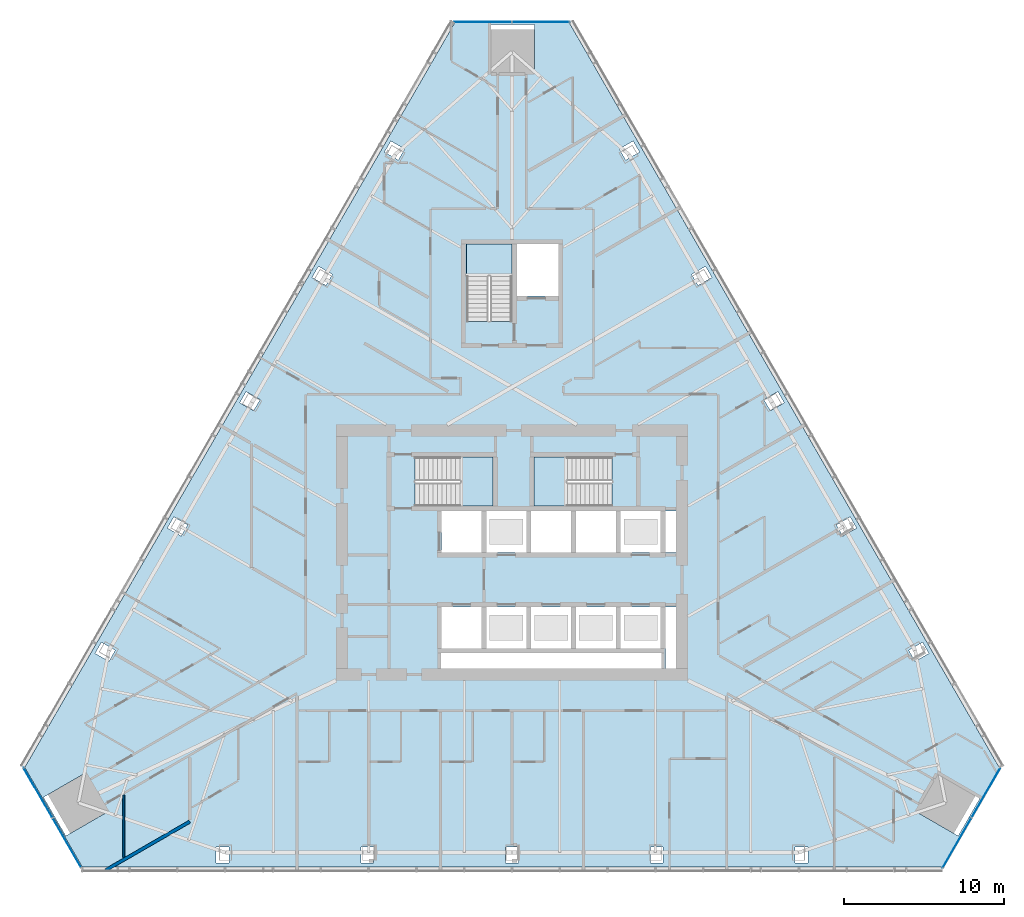
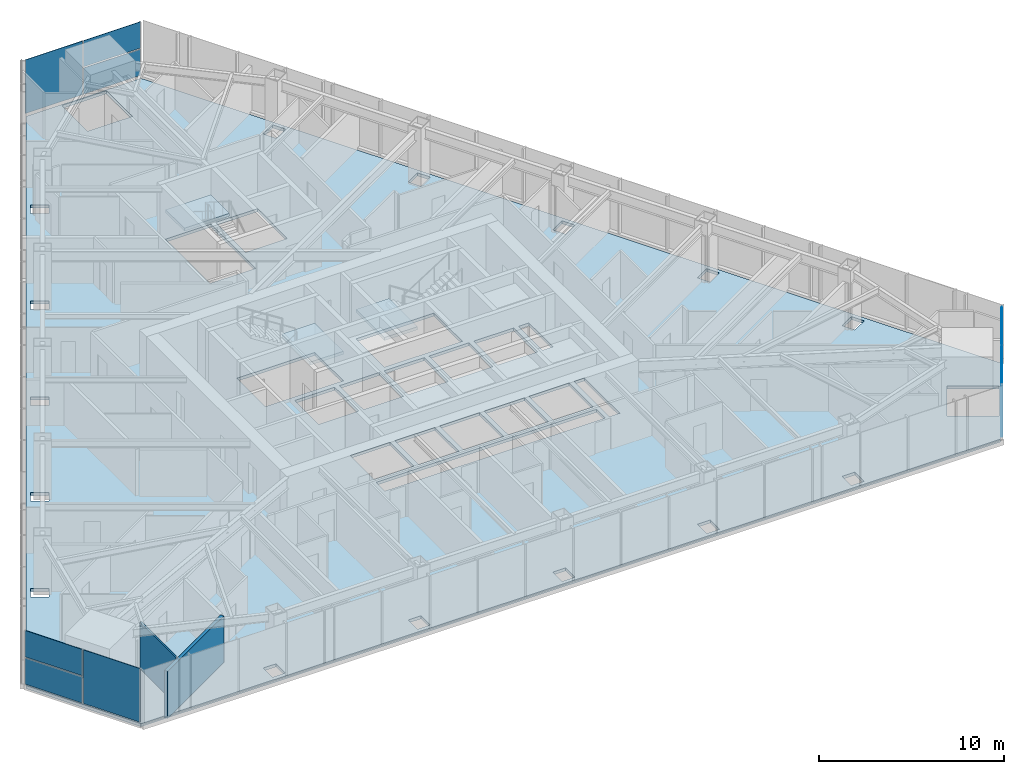
# One storey, part 13 of 21: 9 plates, 4 slabs, 2 walls, 6 elements without a shape of their own.
"""IFC4 building model written with IfcOpenShell, lengths in metres."""

from ifc_helpers import new_model, si_unit, direction, frame, frame_2d, origin, place, context, subcontext, project, spatial, polyline, rectangle, outline, extrude, material, layer, layer_set, type_object, element, aggregate, save


model = new_model("IFC4")

# Units and contexts
model_context = context("Model", 3, precision=1e-05, world=origin(), true_north=direction((0.0, 1.0)))
body_context = subcontext(model_context, "Body", "Model", "MODEL_VIEW")
ifc_project = project(units=[si_unit("LENGTHUNIT", "METRE"), si_unit("AREAUNIT", "SQUARE_METRE"), si_unit("VOLUMEUNIT", "CUBIC_METRE"), si_unit("PLANEANGLEUNIT", "RADIAN"), si_unit("MASSUNIT", "GRAM", prefix="KILO")], contexts=[model_context])

# Site, building, storey
site_placement = place(None, origin())
site = spatial("IfcSite", under=ifc_project, at=site_placement, CompositionType="ELEMENT")
building_placement = place(site_placement, origin())
building = spatial("IfcBuilding", under=site, at=building_placement, Name="Firuza Gate Tower and Library", CompositionType="ELEMENT")
storey_placement = place(building_placement, frame((0.0, 0.0, 167.5)))
storey = spatial("IfcBuildingStorey", under=building, at=storey_placement, Name="L38", CompositionType="ELEMENT", Elevation=167.5)

# Slab
ifc_material_1 = material(Name="Concrete C40/50", Category="concrete")
ifc_layer_1 = layer(ifc_material_1, 0.199951171875)
ifc_layer_set_1 = layer_set([ifc_layer_1], Name="Composite floor slab 200 C40/50")
slab_type_1 = type_object("IfcSlabType", Name="Composite floor slab 200 C40/50", PredefinedType="FLOOR", material=ifc_layer_set_1)
slab_1_placement = place(storey_placement, frame((0.0, 0.0, -0.199951171875)))
element("IfcSlab", 1, at=slab_1_placement, inside=storey, type_object=slab_type_1, Name="Floor slab L38", PredefinedType="FLOOR", context=body_context, shape_type="SweptSolid", body=[
    extrude(outline(polyline([(44.51416015625, 61.555908203125), (48.1142578125, 55.320556640625), (101.8857421875, 55.320556640625), (105.48583984375, 61.555908203125), (78.60009765625, 108.12353515625), (71.39990234375, 108.12353515625), (44.51416015625, 61.555908203125)]), holes=[polyline([(56.491943359375, 55.56103515625), (56.491943359375, 56.56103515625), (57.2919921875, 56.56103515625), (57.2919921875, 55.56103515625), (56.491943359375, 55.56103515625)]), polyline([(74.60009765625, 55.56103515625), (74.60009765625, 56.56103515625), (75.39990234375, 56.56103515625), (75.39990234375, 55.56103515625), (74.60009765625, 55.56103515625)]), polyline([(65.546142578125, 55.56103515625), (65.546142578125, 56.56103515625), (66.345947265625, 56.56103515625), (66.345947265625, 55.56103515625), (65.546142578125, 55.56103515625)]), polyline([(45.6845703125, 59.691162109375), (48.109375, 61.09130859375), (49.50927734375, 58.66650390625), (47.08447265625, 57.266357421875), (45.6845703125, 59.691162109375)]), polyline([(84.35009765625, 67.75), (70.550048828125, 67.75), (70.550048828125, 68.699951171875), (84.35009765625, 68.699951171875), (84.35009765625, 67.75)]), polyline([(49.3115234375, 69.3837890625), (50.177490234375, 68.8837890625), (49.777587890625, 68.191162109375), (48.911376953125, 68.691162109375), (49.3115234375, 69.3837890625)]), polyline([(73.10009765625, 69.0), (70.60009765625, 69.0), (70.60009765625, 71.60009765625), (73.10009765625, 71.60009765625), (73.10009765625, 69.0)]), polyline([(75.89990234375, 69.0), (73.39990234375, 69.0), (73.39990234375, 71.60009765625), (75.89990234375, 71.60009765625), (75.89990234375, 69.0)]), polyline([(73.10009765625, 75.0), (70.60009765625, 75.0), (70.60009765625, 77.60009765625), (73.10009765625, 77.60009765625), (73.10009765625, 75.0)]), polyline([(75.89990234375, 75.0), (73.39990234375, 75.0), (73.39990234375, 77.60009765625), (75.89990234375, 77.60009765625), (75.89990234375, 75.0)]), polyline([(53.83837890625, 77.224853515625), (54.70458984375, 76.724853515625), (54.304443359375, 76.031982421875), (53.4384765625, 76.531982421875), (53.83837890625, 77.224853515625)]), polyline([(73.81005859375, 77.89990234375), (68.9404296875, 77.89990234375), (68.9404296875, 80.97998046875), (73.81005859375, 80.97998046875), (73.81005859375, 77.89990234375)]), polyline([(58.365478515625, 85.06591796875), (59.2314453125, 84.56591796875), (58.83154296875, 83.873046875), (57.96533203125, 84.373046875), (58.365478515625, 85.06591796875)]), polyline([(72.159912109375, 89.470458984375), (72.159912109375, 94.300048828125), (75.0, 94.300048828125), (75.0, 89.470458984375), (72.159912109375, 89.470458984375)]), polyline([(62.892333984375, 92.90673828125), (63.758544921875, 92.40673828125), (63.3583984375, 91.714111328125), (62.492431640625, 92.214111328125), (62.892333984375, 92.90673828125)]), polyline([(75.300048828125, 91.050048828125), (75.300048828125, 94.300048828125), (77.89990234375, 94.300048828125), (77.89990234375, 91.050048828125), (75.300048828125, 91.050048828125)]), polyline([(68.285400390625, 100.247802734375), (67.885498046875, 99.554931640625), (67.01953125, 100.054931640625), (67.41943359375, 100.747802734375), (68.285400390625, 100.247802734375)]), polyline([(76.39990234375, 108.042236328125), (76.39990234375, 105.242431640625), (73.60009765625, 105.242431640625), (73.60009765625, 108.042236328125), (76.39990234375, 108.042236328125)]), polyline([(92.7080078125, 55.56103515625), (92.7080078125, 56.56103515625), (93.508056640625, 56.56103515625), (93.508056640625, 55.56103515625), (92.7080078125, 55.56103515625)]), polyline([(83.654052734375, 55.56103515625), (83.654052734375, 56.56103515625), (84.453857421875, 56.56103515625), (84.453857421875, 55.56103515625), (83.654052734375, 55.56103515625)]), polyline([(102.91552734375, 57.266357421875), (100.49072265625, 58.66650390625), (101.890625, 61.09130859375), (104.3154296875, 59.691162109375), (102.91552734375, 57.266357421875)]), polyline([(101.088623046875, 68.691162109375), (100.222412109375, 68.191162109375), (99.822509765625, 68.8837890625), (100.6884765625, 69.3837890625), (101.088623046875, 68.691162109375)]), polyline([(85.25, 67.75), (84.60009765625, 67.75), (84.60009765625, 71.60009765625), (85.25, 71.60009765625), (85.25, 67.75)]), polyline([(81.5, 69.0), (79.0, 69.0), (79.0, 71.60009765625), (81.5, 71.60009765625), (81.5, 69.0)]), polyline([(81.800048828125, 69.0), (81.800048828125, 71.60009765625), (84.300048828125, 71.60009765625), (84.300048828125, 69.0), (81.800048828125, 69.0)]), polyline([(76.199951171875, 69.0), (76.199951171875, 71.60009765625), (78.699951171875, 71.60009765625), (78.699951171875, 69.0), (76.199951171875, 69.0)]), polyline([(81.5, 75.0), (79.0, 75.0), (79.0, 77.60009765625), (81.5, 77.60009765625), (81.5, 75.0)]), polyline([(84.300048828125, 75.0), (81.800048828125, 75.0), (81.800048828125, 77.60009765625), (84.300048828125, 77.60009765625), (84.300048828125, 75.0)]), polyline([(85.25, 75.0), (84.60009765625, 75.0), (84.60009765625, 77.60009765625), (85.25, 77.60009765625), (85.25, 75.0)]), polyline([(78.699951171875, 75.0), (76.199951171875, 75.0), (76.199951171875, 77.60009765625), (78.699951171875, 77.60009765625), (78.699951171875, 75.0)]), polyline([(96.5615234375, 76.531982421875), (95.695556640625, 76.031982421875), (95.29541015625, 76.724853515625), (96.16162109375, 77.224853515625), (96.5615234375, 76.531982421875)]), polyline([(81.259521484375, 77.89990234375), (76.389892578125, 77.89990234375), (76.389892578125, 80.97998046875), (81.259521484375, 80.97998046875), (81.259521484375, 77.89990234375)]), polyline([(92.03466796875, 84.373046875), (91.16845703125, 83.873046875), (90.7685546875, 84.56591796875), (91.634521484375, 85.06591796875), (92.03466796875, 84.373046875)]), polyline([(86.6416015625, 91.714111328125), (86.241455078125, 92.40673828125), (87.107666015625, 92.90673828125), (87.507568359375, 92.214111328125), (86.6416015625, 91.714111328125)]), polyline([(82.114501953125, 99.554931640625), (81.714599609375, 100.247802734375), (82.58056640625, 100.747802734375), (82.98046875, 100.054931640625), (82.114501953125, 99.554931640625)])]), origin(), (0.0, 0.0, 1.0), 0.199951171875),
])

# Curtain wall, plate
ifc_material_2 = material(Name="Aluminium 6063-T6", Category="aluminium")
ifc_layer_2 = layer(ifc_material_2, 0.14990234375)
ifc_layer_set_2 = layer_set([ifc_layer_2], Name="Corner curtain wall, chamfers")
curtain_wall_type = type_object("IfcCurtainWallType", Name="Corner curtain wall, chamfers", PredefinedType="NOTDEFINED", material=ifc_layer_set_2)
placement_1 = place(storey_placement, origin())
curtain_wall_1 = element("IfcCurtainWall", 2, at=placement_1, inside=storey, type_object=curtain_wall_type, Name="CW4 L38 SE corner", PredefinedType="NOTDEFINED")
ifc_material_3 = material(Name="Fritted glass", Category="glass")
ifc_layer_3 = layer(ifc_material_3, 0.030029296875)
ifc_layer_set_3 = layer_set([ifc_layer_3], Name="Fritted glass unit, corners")
plate_type_1 = type_object("IfcPlateType", Name="Fritted glass unit, corners", PredefinedType="CURTAIN_PANEL", material=ifc_layer_set_3)
plate_1_placement = place(storey_placement, frame((101.962158203125, 55.272705078125, 0.14990234375), z_axis=(0.866046390552, -0.49996364809, 0.0), x_axis=(0.49996364809, 0.866046390552, 0.0)))
plate_1 = element("IfcPlate", 3, at=plate_1_placement, type_object=plate_type_1, Name="Glass unit", PredefinedType="CURTAIN_PANEL", context=body_context, shape_type="SweptSolid", body=[
    extrude(outline(polyline([(0.0, 0.0), (3.563247342942594, 0.0), (3.563247342942594, 1.735107421875), (0.0, 1.735107421875), (0.0, 0.0)])), origin(), (0.0, 0.0, -1.0), 0.030029296875),
])

curtain_wall_2 = element("IfcCurtainWall", 4, at=placement_1, inside=storey, type_object=curtain_wall_type, Name="CW4 L38 N corner", PredefinedType="NOTDEFINED")
plate_2_placement = place(storey_placement, frame((78.603271484375, 108.21337890625, 0.14990234375), z_axis=(0.0, 1.0, 0.0), x_axis=(-1.0, 0.0, 0.0)))
plate_2 = element("IfcPlate", 5, at=plate_2_placement, type_object=plate_type_1, Name="Glass unit", PredefinedType="CURTAIN_PANEL", context=body_context, shape_type="SweptSolid", body=[
    extrude(outline(polyline([(0.0, 0.0), (3.563232421875, 0.0), (3.563232421875, 1.735107421875), (0.0, 1.735107421875), (0.0, 0.0)])), origin(), (0.0, 0.0, -1.0), 0.030029296875),
])

curtain_wall_3 = element("IfcCurtainWall", 6, at=placement_1, inside=storey, type_object=curtain_wall_type, Name="CW4 L38 SW corner", PredefinedType="NOTDEFINED")
plate_3_placement = place(storey_placement, frame((44.4345703125, 61.513916015625, 0.14990234375), z_axis=(-0.866016723041, -0.500015035186, 0.0), x_axis=(0.500015035186, -0.866016723041, 0.0)))
plate_3 = element("IfcPlate", 7, at=plate_3_placement, type_object=plate_type_1, Name="Glass unit", PredefinedType="CURTAIN_PANEL", context=body_context, shape_type="SweptSolid", body=[
    extrude(outline(polyline([(0.0, 0.0), (3.5633694106530625, 0.0), (3.5633694106530625, 1.735107421875), (0.0, 1.735107421875), (0.0, 0.0)])), origin(), (0.0, 0.0, -1.0), 0.030029296875),
])

# Plate
ifc_material_4 = material(Name="Glazed ceramic tile")
ifc_layer_4 = layer(ifc_material_4, 0.030029296875)
ifc_layer_set_4 = layer_set([ifc_layer_4], Name="Opaque ceramic panel, corners")
plate_type_2 = type_object("IfcPlateType", Name="Opaque ceramic panel, corners", PredefinedType="CURTAIN_PANEL", material=ifc_layer_set_4)
plate_4_placement = place(storey_placement, frame((101.962158203125, 55.272705078125, 1.965087890625), z_axis=(0.866046390552, -0.49996364809, 0.0), x_axis=(0.49996364809, 0.866046390552, 0.0)))
plate_4 = element("IfcPlate", 8, at=plate_4_placement, type_object=plate_type_2, Name="Opaque ceramic panel", PredefinedType="CURTAIN_PANEL", context=body_context, shape_type="SweptSolid", body=[
    extrude(outline(polyline([(0.0, 0.0), (3.563247342942594, 0.0), (3.563247342942594, 1.73486328125), (0.0, 1.73486328125), (0.0, 0.0)])), origin(), (0.0, 0.0, -1.0), 0.030029296875),
])

plate_5_placement = place(storey_placement, frame((103.78369140625, 58.427978515625, 0.14990234375), z_axis=(0.866016723041, -0.500015035186, 0.0), x_axis=(0.500015035186, 0.866016723041, 0.0)))
plate_5 = element("IfcPlate", 9, at=plate_5_placement, type_object=plate_type_2, Name="Opaque ceramic panel", PredefinedType="CURTAIN_PANEL", context=body_context, shape_type="SweptSolid", body=[
    extrude(outline(polyline([(0.0, 0.0), (3.5633694106530625, 0.0), (3.5633694106530625, 3.550048828125), (0.0, 3.550048828125), (0.0, 0.0)])), origin(), (0.0, 0.0, -1.0), 0.030029296875),
])

aggregate(curtain_wall_1, [plate_1, plate_4, plate_5])

plate_6_placement = place(storey_placement, frame((78.603271484375, 108.21337890625, 1.965087890625), z_axis=(0.0, 1.0, 0.0), x_axis=(-1.0, 0.0, 0.0)))
plate_6 = element("IfcPlate", 10, at=plate_6_placement, type_object=plate_type_2, Name="Opaque ceramic panel", PredefinedType="CURTAIN_PANEL", context=body_context, shape_type="SweptSolid", body=[
    extrude(outline(polyline([(0.0, 0.0), (3.563232421875, 0.0), (3.563232421875, 1.73486328125), (0.0, 1.73486328125), (0.0, 0.0)])), origin(), (0.0, 0.0, -1.0), 0.030029296875),
])

plate_7_placement = place(storey_placement, frame((74.9599609375, 108.21337890625, 0.14990234375), z_axis=(0.0, 1.0, 0.0), x_axis=(-1.0, 0.0, 0.0)))
plate_7 = element("IfcPlate", 11, at=plate_7_placement, type_object=plate_type_2, Name="Opaque ceramic panel", PredefinedType="CURTAIN_PANEL", context=body_context, shape_type="SweptSolid", body=[
    extrude(outline(polyline([(0.0, 0.0), (3.563232421875, 0.0), (3.563232421875, 3.550048828125), (0.0, 3.550048828125), (0.0, 0.0)])), origin(), (0.0, 0.0, -1.0), 0.030029296875),
])

aggregate(curtain_wall_2, [plate_2, plate_6, plate_7])

plate_8_placement = place(storey_placement, frame((44.4345703125, 61.513916015625, 1.965087890625), z_axis=(-0.866016723041, -0.500015035186, 0.0), x_axis=(0.500015035186, -0.866016723041, 0.0)))
plate_8 = element("IfcPlate", 12, at=plate_8_placement, type_object=plate_type_2, Name="Opaque ceramic panel", PredefinedType="CURTAIN_PANEL", context=body_context, shape_type="SweptSolid", body=[
    extrude(outline(polyline([(0.0, 0.0), (3.5633694106530625, 0.0), (3.5633694106530625, 1.73486328125), (0.0, 1.73486328125), (0.0, 0.0)])), origin(), (0.0, 0.0, -1.0), 0.030029296875),
])

plate_9_placement = place(storey_placement, frame((46.25634765625, 58.358642578125, 0.14990234375), z_axis=(-0.866046390552, -0.49996364809, 0.0), x_axis=(0.49996364809, -0.866046390552, 0.0)))
plate_9 = element("IfcPlate", 13, at=plate_9_placement, type_object=plate_type_2, Name="Opaque ceramic panel", PredefinedType="CURTAIN_PANEL", context=body_context, shape_type="SweptSolid", body=[
    extrude(outline(polyline([(0.0, 0.0), (3.563247342942594, 0.0), (3.563247342942594, 3.550048828125), (0.0, 3.550048828125), (0.0, 0.0)])), origin(), (0.0, 0.0, -1.0), 0.030029296875),
])

aggregate(curtain_wall_3, [plate_3, plate_8, plate_9])

# Stair, slab
ifc_material_5 = material(Name="Concrete C35/45", Category="concrete")
stair_type_1 = type_object("IfcStairType", Name="Exit stair ST7", PredefinedType="HALF_TURN_STAIR", material=ifc_material_5)
stair_1 = element("IfcStair", 14, at=placement_1, inside=storey, type_object=stair_type_1, Name="L38 Stair ST1", PredefinedType="HALF_TURN_STAIR")
ifc_material_6 = material(Name="Concrete C35/45", Category="concrete")
ifc_layer_5 = layer(ifc_material_6, 0.199951171875)
ifc_layer_set_5 = layer_set([ifc_layer_5], Name="Stair landing 200")
slab_type_2 = type_object("IfcSlabType", Name="Stair landing 200", PredefinedType="LANDING", material=ifc_layer_set_5)
placement_2 = place(storey_placement, frame((0.0, 0.0, 1.75)))
slab_2 = element("IfcSlab", 15, at=placement_2, type_object=slab_type_2, Name="ST1 landing 1", PredefinedType="LANDING", context=body_context, shape_type="SweptSolid", body=[
    extrude(outline(polyline([(71.739990234375, 77.89990234375), (73.81005859375, 77.89990234375), (73.81005859375, 80.97998046875), (71.739990234375, 80.97998046875), (71.739990234375, 77.89990234375)])), origin(), (0.0, 0.0, 1.0), 0.199951171875),
])
aggregate(stair_1, [slab_2])

stair_2 = element("IfcStair", 16, at=placement_1, inside=storey, type_object=stair_type_1, Name="L38 Stair ST2", PredefinedType="HALF_TURN_STAIR")
slab_3 = element("IfcSlab", 17, at=placement_2, type_object=slab_type_2, Name="ST2 landing 1", PredefinedType="LANDING", context=body_context, shape_type="SweptSolid", body=[
    extrude(outline(polyline([(78.4599609375, 80.97998046875), (76.389892578125, 80.97998046875), (76.389892578125, 77.89990234375), (78.4599609375, 77.89990234375), (78.4599609375, 80.97998046875)])), origin(), (0.0, 0.0, 1.0), 0.199951171875),
])
aggregate(stair_2, [slab_3])

ifc_material_7 = material(Name="Concrete C35/45", Category="concrete")
stair_type_2 = type_object("IfcStairType", Name="Exit stair ST16", PredefinedType="HALF_TURN_STAIR", material=ifc_material_7)
stair_3 = element("IfcStair", 18, at=placement_1, inside=storey, type_object=stair_type_2, Name="L38 Stair ST3", PredefinedType="HALF_TURN_STAIR")
slab_4 = element("IfcSlab", 19, at=placement_2, type_object=slab_type_2, Name="ST3 landing 1", PredefinedType="LANDING", context=body_context, shape_type="SweptSolid", body=[
    extrude(outline(polyline([(75.0, 92.27001953125), (75.0, 94.300048828125), (72.159912109375, 94.300048828125), (72.159912109375, 92.27001953125), (75.0, 92.27001953125)])), origin(), (0.0, 0.0, 1.0), 0.199951171875),
])
aggregate(stair_3, [slab_4])

# Walls
ifc_material_8 = material(Name="Gypsum board partition")
ifc_layer_6 = layer(ifc_material_8, 0.199951171875)
ifc_layer_set_6 = layer_set([ifc_layer_6], Name="Demising wall 200 acoustic double stud")
wall_type_1 = type_object("IfcWallType", Name="Demising wall 200 acoustic double stud", PredefinedType="PARTITIONING", material=ifc_layer_set_6)
wall_1_placement = place(storey_placement, frame((49.567626953125, 55.12060546875, 0.0), z_axis=(0.0, 0.0, 1.0), x_axis=(0.866031175337, 0.499990003244, 0.0)))
element("IfcWall", 20, at=wall_1_placement, inside=storey, type_object=wall_type_1, Name="f:L38:w030", PredefinedType="PARTITIONING", context=body_context, shape_type="SweptSolid", body=[
    extrude(rectangle(XDim=6.08203125, YDim=0.199951171875, at=frame_2d((3.041015625, 0.0))), origin(), (0.0, 0.0, 1.0), 3.10009765625),
])
ifc_material_9 = material(Name="Gypsum board partition")
ifc_layer_7 = layer(ifc_material_9, 0.10009765625)
ifc_layer_set_7 = layer_set([ifc_layer_7], Name="Partition 100 gypsum board on steel studs")
wall_type_2 = type_object("IfcWallType", Name="Partition 100 gypsum board on steel studs", PredefinedType="PARTITIONING", material=ifc_layer_set_7)
wall_2_placement = place(storey_placement, frame((50.705078125, 55.922607421875, 0.0), z_axis=(0.0, 0.0, 1.0), x_axis=(0.0, 1.0, 0.0)))
element("IfcWall", 21, at=wall_2_placement, inside=storey, type_object=wall_type_2, Name="f:L38:w085", PredefinedType="PARTITIONING", context=body_context, shape_type="SweptSolid", body=[
    extrude(rectangle(XDim=3.894775390625, YDim=0.10009765625, at=frame_2d((1.947265625, 0.0))), origin(), (0.0, 0.0, 1.0), 3.10009765625),
])

save(model, "model.ifc")
